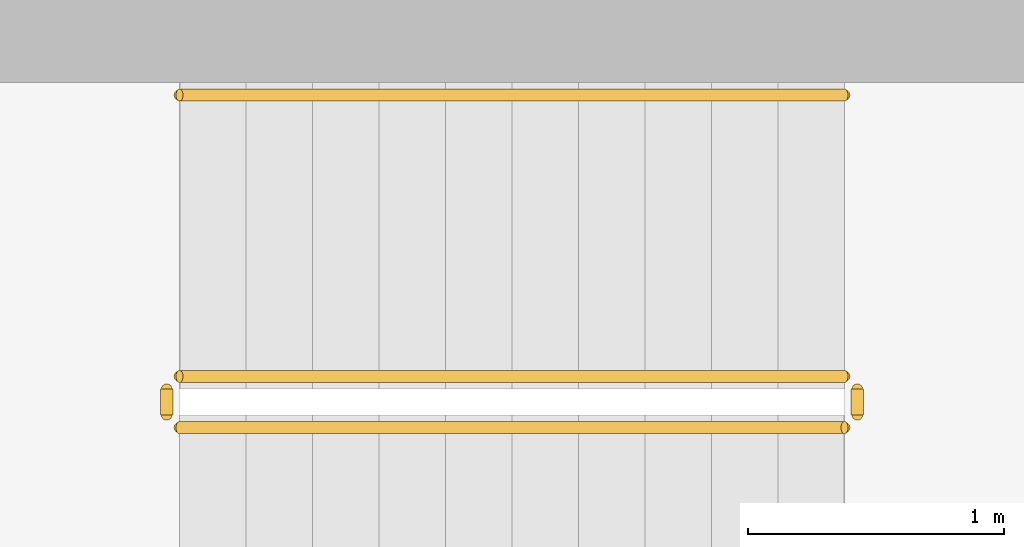
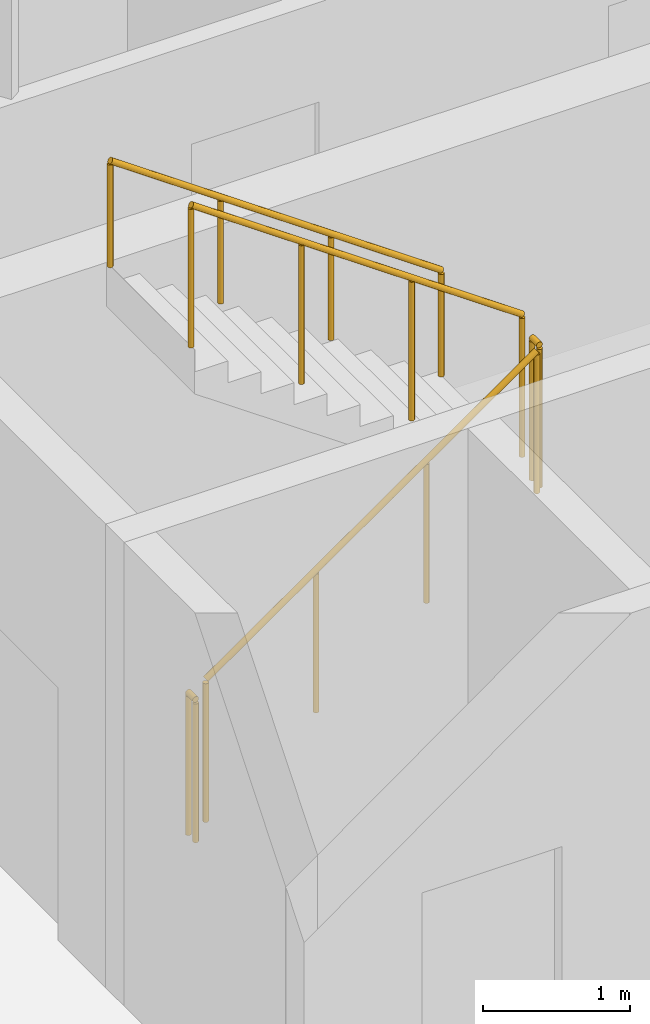
# One storey, part 17 of 21: 5 railings.
"""IFC4 building model written with IfcOpenShell, lengths in metres."""

from ifc_helpers import new_model, si_unit, direction, frame, origin, origin_2d, place, context, subcontext, project, spatial, circle, extrude, material, type_object, element, save


model = new_model("IFC4")

# Units and contexts
model_context = context("Model", 3, precision=1e-05, world=origin(), true_north=direction((0.0, 1.0)))
body_context = subcontext(model_context, "Body", "Model", "MODEL_VIEW")
ifc_project = project(units=[si_unit("LENGTHUNIT", "METRE"), si_unit("AREAUNIT", "SQUARE_METRE"), si_unit("VOLUMEUNIT", "CUBIC_METRE"), si_unit("PLANEANGLEUNIT", "RADIAN"), si_unit("MASSUNIT", "GRAM", prefix="KILO")], contexts=[model_context])

# Site, building, storey
site_placement = place(None, origin())
site = spatial("IfcSite", under=ifc_project, at=site_placement, CompositionType="ELEMENT")
building_placement = place(site_placement, origin())
building = spatial("IfcBuilding", under=site, at=building_placement, Name="Sahrelin Media Tower", CompositionType="ELEMENT")
storey_placement = place(building_placement, frame((0.0, 0.0, 259.0)))
storey = spatial("IfcBuildingStorey", under=building, at=storey_placement, Name="L56", CompositionType="ELEMENT", Elevation=259.0)

# Railings
ifc_material = material(Name="Steel S355", Category="steel")
railing_type_1 = type_object("IfcRailingType", Name="Stair guard 1200", PredefinedType="GUARDRAIL", material=ifc_material)
railing_1_placement = place(storey_placement, frame((-7.675048828125, 5.25, 0.181884765625)))
element("IfcRailing", 1, at=railing_1_placement, inside=storey, type_object=railing_type_1, Name="L56 ST1 stair guard 1", PredefinedType="GUARDRAIL", context=body_context, shape_type="SweptSolid", body=[
    extrude(circle(Radius=0.02392578125, at=origin_2d()), frame((0.0, 0.0, 1.17578125), z_axis=(0.819521025635, 0.0, 0.573049115296), x_axis=(0.0, 1.0, 0.0)), (0.0, 0.0, 1.0), 3.172607421875),
    extrude(circle(Radius=0.02099609375, at=origin_2d()), origin(), (0.0, 0.0, 1.0), 1.15185546875),
    extrude(circle(Radius=0.02099609375, at=origin_2d()), frame((0.86669921875, 0.0, 0.60595703125)), (0.0, 0.0, 1.0), 1.15185546875),
    extrude(circle(Radius=0.02099609375, at=origin_2d()), frame((1.7333984375, 0.0, 1.212158203125)), (0.0, 0.0, 1.0), 1.15185546875),
    extrude(circle(Radius=0.02099609375, at=origin_2d()), frame((2.60009765625, 0.0, 1.818115234375)), (0.0, 0.0, 1.0), 1.15185546875),
])
railing_2_placement = place(storey_placement, frame((-5.02490234375, 5.300048828125, 2.0)))
element("IfcRailing", 2, at=railing_2_placement, inside=storey, type_object=railing_type_1, Name="L56 ST1 stair guard 2", PredefinedType="GUARDRAIL", context=body_context, shape_type="SweptSolid", body=[
    extrude(circle(Radius=0.02392578125, at=origin_2d()), frame((0.0, 0.0, 1.17578125), z_axis=(0.0, 1.0, 0.0), x_axis=(-1.0, 0.0, 0.0)), (0.0, 0.0, 1.0), 0.099853515625),
    extrude(circle(Radius=0.02099609375, at=origin_2d()), origin(), (0.0, 0.0, 1.0), 1.15185546875),
    extrude(circle(Radius=0.02099609375, at=origin_2d()), frame((0.0, 0.099853515625, 0.0)), (0.0, 0.0, 1.0), 1.15185546875),
])
railing_3_placement = place(storey_placement, frame((-5.074951171875, 5.449951171875, 2.181884765625)))
element("IfcRailing", 3, at=railing_3_placement, inside=storey, type_object=railing_type_1, Name="L56 ST1 stair guard 3", PredefinedType="GUARDRAIL", context=body_context, shape_type="SweptSolid", body=[
    extrude(circle(Radius=0.02392578125, at=origin_2d()), frame((0.0, 0.0, 1.17578125), z_axis=(-0.819521025635, 0.0, 0.573049115296), x_axis=(0.0, -1.0, 0.0)), (0.0, 0.0, 1.0), 3.172607421875),
    extrude(circle(Radius=0.02099609375, at=origin_2d()), origin(), (0.0, 0.0, 1.0), 1.15185546875),
    extrude(circle(Radius=0.02099609375, at=origin_2d()), frame((-0.86669921875, 0.0, 0.60595703125)), (0.0, 0.0, 1.0), 1.15185546875),
    extrude(circle(Radius=0.02099609375, at=origin_2d()), frame((-1.7333984375, 0.0, 1.212158203125)), (0.0, 0.0, 1.0), 1.15185546875),
    extrude(circle(Radius=0.02099609375, at=origin_2d()), frame((-2.60009765625, 0.0, 1.818115234375)), (0.0, 0.0, 1.0), 1.15185546875),
])
railing_4_placement = place(storey_placement, frame((-7.72509765625, 5.300048828125, 0.0)))
element("IfcRailing", 4, at=railing_4_placement, inside=storey, type_object=railing_type_1, Name="L56 ST1 stair guard 4", PredefinedType="GUARDRAIL", context=body_context, shape_type="SweptSolid", body=[
    extrude(circle(Radius=0.02392578125, at=origin_2d()), frame((0.0, 0.0, 1.17578125), z_axis=(0.0, 1.0, 0.0), x_axis=(-1.0, 0.0, 0.0)), (0.0, 0.0, 1.0), 0.099853515625),
    extrude(circle(Radius=0.02099609375, at=origin_2d()), origin(), (0.0, 0.0, 1.0), 1.15185546875),
    extrude(circle(Radius=0.02099609375, at=origin_2d()), frame((0.0, 0.099853515625, 0.0)), (0.0, 0.0, 1.0), 1.15185546875),
])
railing_type_2 = type_object("IfcRailingType", Name="Stair handrail 900", PredefinedType="HANDRAIL", material=ifc_material)
railing_5_placement = place(storey_placement, frame((-5.074951171875, 6.550048828125, 2.181884765625)))
element("IfcRailing", 5, at=railing_5_placement, inside=storey, type_object=railing_type_2, Name="L56 ST1 stair handrail 2", PredefinedType="HANDRAIL", context=body_context, shape_type="SweptSolid", body=[
    extrude(circle(Radius=0.02392578125, at=origin_2d()), frame((0.0, 0.0, 0.8759765625), z_axis=(-0.819521025635, 0.0, 0.573049115296), x_axis=(0.0, -1.0, 0.0)), (0.0, 0.0, 1.0), 3.172607421875),
    extrude(circle(Radius=0.02099609375, at=origin_2d()), origin(), (0.0, 0.0, 1.0), 0.851806640625),
    extrude(circle(Radius=0.02099609375, at=origin_2d()), frame((-0.86669921875, 0.0, 0.60595703125)), (0.0, 0.0, 1.0), 0.851806640625),
    extrude(circle(Radius=0.02099609375, at=origin_2d()), frame((-1.7333984375, 0.0, 1.212158203125)), (0.0, 0.0, 1.0), 0.851806640625),
    extrude(circle(Radius=0.02099609375, at=origin_2d()), frame((-2.60009765625, 0.0, 1.818115234375)), (0.0, 0.0, 1.0), 0.851806640625),
])

save(model, "model.ifc")
